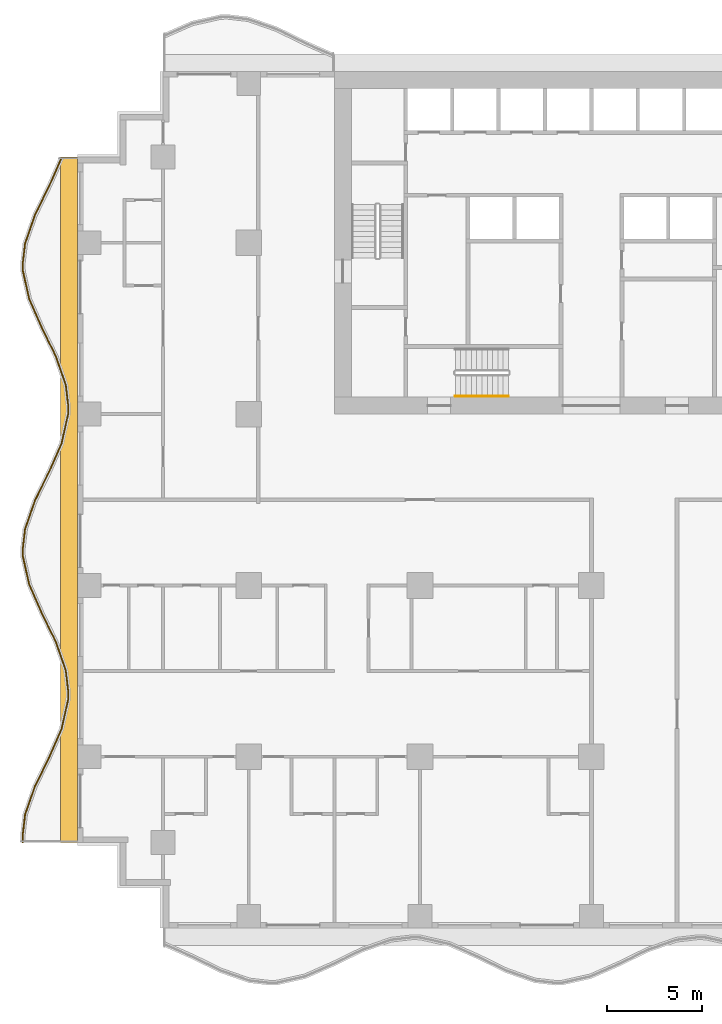
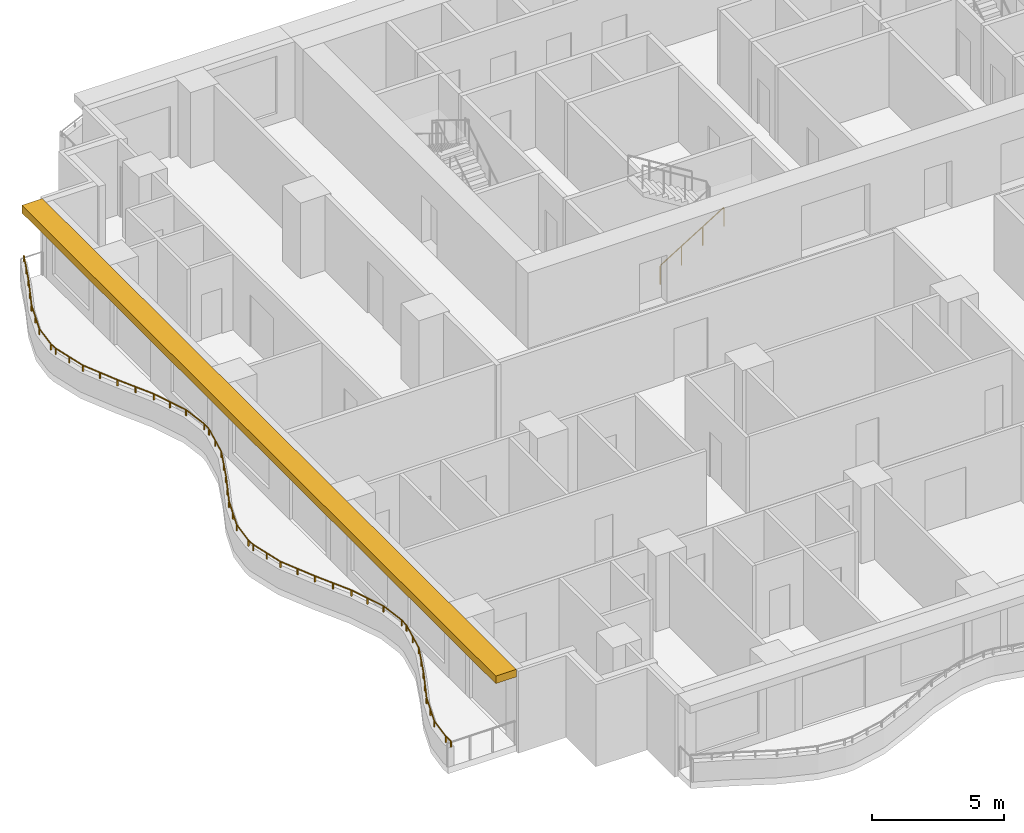
# One storey, part 9 of 14: 2 railings, 1 shading device.
"""IFC4 building model written with IfcOpenShell, lengths in metres."""

from ifc_helpers import new_model, si_unit, direction, frame, origin, origin_2d, place, context, subcontext, project, spatial, polyline, rectangle, circle, outline, extrude, material, layer, layer_set, type_object, element, save


model = new_model("IFC4")

# Units and contexts
model_context = context("Model", 3, precision=1e-05, world=origin(), true_north=direction((0.0, 1.0)))
body_context = subcontext(model_context, "Body", "Model", "MODEL_VIEW")
ifc_project = project(units=[si_unit("LENGTHUNIT", "METRE"), si_unit("AREAUNIT", "SQUARE_METRE"), si_unit("VOLUMEUNIT", "CUBIC_METRE"), si_unit("PLANEANGLEUNIT", "RADIAN"), si_unit("MASSUNIT", "GRAM", prefix="KILO")], contexts=[model_context])

# Site, building, storey
site_placement = place(None, origin())
site = spatial("IfcSite", under=ifc_project, at=site_placement, CompositionType="ELEMENT")
building_placement = place(site_placement, origin())
building = spatial("IfcBuilding", under=site, at=building_placement, Name="Orbiselva Terraces", CompositionType="ELEMENT")
storey_placement = place(building_placement, frame((0.0, 0.0, 103.6)))
storey = spatial("IfcBuildingStorey", under=building, at=storey_placement, Name="L26", CompositionType="ELEMENT", Elevation=103.6)

# Railings
ifc_material_1 = material(Name="Stainless steel", Category="steel")
railing_type_1 = type_object("IfcRailingType", Name="CORE-HANDRAIL-900", PredefinedType="HANDRAIL", material=ifc_material_1)
railing_1_placement = place(storey_placement, frame((-7.15, 5.45, 0.172727)))
element("IfcRailing", 1, at=railing_1_placement, inside=storey, type_object=railing_type_1, Name="L26 S3 stair handrail 1", PredefinedType="HANDRAIL", context=body_context, shape_type="SweptSolid", body=[
    extrude(circle(Radius=0.024, at=origin_2d()), frame((0.0, 0.0, 0.876), z_axis=(0.851088519012, 0.0, 0.52502222125), x_axis=(0.0, 1.0, 0.0)), (0.0, 0.0, 1.0), 3.289905),
    extrude(circle(Radius=0.021, at=origin_2d()), origin(), (0.0, 0.0, 1.0), 0.852),
    extrude(circle(Radius=0.021, at=origin_2d()), frame((0.933333, 0.0, 0.575758)), (0.0, 0.0, 1.0), 0.852),
    extrude(circle(Radius=0.021, at=origin_2d()), frame((1.866667, 0.0, 1.151515)), (0.0, 0.0, 1.0), 0.852),
    extrude(circle(Radius=0.021, at=origin_2d()), frame((2.8, 0.0, 1.727273)), (0.0, 0.0, 1.0), 0.852),
])
ifc_material_2 = material(Name="Bonded two-ply safety glass balustrade, stainless steel posts", Category="steel")
railing_type_2 = type_object("IfcRailingType", Name="ENV-BALUSTRADE-1200", PredefinedType="BALUSTRADE", material=ifc_material_2)
railing_2_placement = place(storey_placement, frame((-27.83708, 17.949606, 0.9)))
element("IfcRailing", 2, at=railing_2_placement, inside=storey, type_object=railing_type_2, Name="Balcony balustrade L26 W", PredefinedType="BALUSTRADE", context=body_context, shape_type="SweptSolid", body=[
    extrude(outline(polyline([(0.028868, 0.0), (0.014434, 0.025), (-0.014434, 0.025), (-0.028868, 0.0), (-0.014434, -0.025), (0.014434, -0.025), (0.028868, 0.0)])), frame((0.0, 0.0, 0.275), z_axis=(-0.403151175476, -0.915133394491, 0.0), x_axis=(0.915133394491, -0.403151175476, 0.0)), (0.0, 0.0, 1.0), 1.641563),
    extrude(outline(polyline([(0.028868, 0.0), (0.014434, 0.025), (-0.014434, 0.025), (-0.028868, 0.0), (-0.014434, -0.025), (0.014434, -0.025), (0.028868, 0.0)])), frame((-0.661798, -1.502249, 0.275), z_axis=(-0.438811978768, -0.89857890432, 0.0), x_axis=(0.89857890432, -0.438811978768, 0.0)), (0.0, 0.0, 1.0), 1.66438),
    extrude(outline(polyline([(0.028868, 0.0), (0.014434, 0.025), (-0.014434, 0.025), (-0.028868, 0.0), (-0.014434, -0.025), (0.014434, -0.025), (0.028868, 0.0)])), frame((-1.392148, -2.997826, 0.275), z_axis=(-0.330024754707, -0.943972277814, 0.0), x_axis=(0.943972277814, -0.330024754707, 0.0)), (0.0, 0.0, 1.0), 1.567807),
    extrude(outline(polyline([(0.028868, 0.0), (0.014434, 0.025), (-0.014434, 0.025), (-0.028868, 0.0), (-0.014434, -0.025), (0.014434, -0.025), (0.028868, 0.0)])), frame((-1.909563, -4.477792, 0.275), z_axis=(-0.115481264762, -0.993309658409, 0.0), x_axis=(0.993309658409, -0.115481264762, 0.0)), (0.0, 0.0, 1.0), 1.10902),
    extrude(outline(polyline([(0.028868, 0.0), (0.014434, 0.025), (-0.014434, 0.025), (-0.028868, 0.0), (-0.014434, -0.025), (0.014434, -0.025), (0.028868, 0.0)])), frame((-2.037634, -5.579392, 0.275), z_axis=(0.039364150694, -0.999224931454, 0.0), x_axis=(0.999224931454, 0.039364150694, 0.0)), (0.0, 0.0, 1.0), 0.354206),
    extrude(outline(polyline([(0.028868, 0.0), (0.014434, 0.025), (-0.014434, 0.025), (-0.028868, 0.0), (-0.014434, -0.025), (0.014434, -0.025), (0.028868, 0.0)])), frame((-2.023691, -5.933323, 0.275), z_axis=(0.219015740235, -0.975721325753, 0.0), x_axis=(0.975721325753, 0.219015740235, 0.0)), (0.0, 0.0, 1.0), 1.513782),
    extrude(outline(polyline([(0.028868, 0.0), (0.014434, 0.025), (-0.014434, 0.025), (-0.028868, 0.0), (-0.014434, -0.025), (0.014434, -0.025), (0.028868, 0.0)])), frame((-1.692149, -7.410352, 0.275), z_axis=(0.403151245402, -0.915133363686, 0.0), x_axis=(0.915133363686, 0.403151245402, 0.0)), (0.0, 0.0, 1.0), 1.624475),
    extrude(outline(polyline([(0.028868, 0.0), (0.014434, 0.025), (-0.014434, 0.025), (-0.028868, 0.0), (-0.014434, -0.025), (0.014434, -0.025), (0.028868, 0.0)])), frame((-1.03724, -8.896963, 0.275), z_axis=(0.438812048596, -0.898578870221, 0.0), x_axis=(0.898578870221, 0.438812048596, 0.0)), (0.0, 0.0, 1.0), 1.674225),
    extrude(outline(polyline([(0.028868, 0.0), (0.014434, 0.025), (-0.014434, 0.025), (-0.028868, 0.0), (-0.014434, -0.025), (0.014434, -0.025), (0.028868, 0.0)])), frame((-0.30257, -10.401386, 0.275), z_axis=(0.330024597479, -0.943972332783, 0.0), x_axis=(0.943972332783, 0.330024597479, 0.0)), (0.0, 0.0, 1.0), 1.610253),
    extrude(outline(polyline([(0.028868, 0.0), (0.014434, 0.025), (-0.014434, 0.025), (-0.028868, 0.0), (-0.014434, -0.025), (0.014434, -0.025), (0.028868, 0.0)])), frame((0.228853, -11.92142, 0.275), z_axis=(0.115482182324, -0.993309551734, 0.0), x_axis=(0.993309551734, 0.115482182324, 0.0)), (0.0, 0.0, 1.0), 1.156135),
    extrude(outline(polyline([(0.028868, 0.0), (0.014434, 0.025), (-0.014434, 0.025), (-0.028868, 0.0), (-0.014434, -0.025), (0.014434, -0.025), (0.028868, 0.0)])), frame((0.362366, -13.06982, 0.275), z_axis=(-0.03936915532, -0.999224734286, 0.0), x_axis=(0.999224734286, -0.03936915532, 0.0)), (0.0, 0.0, 1.0), 0.396376),
    extrude(outline(polyline([(0.028868, 0.0), (0.014434, 0.025), (-0.014434, 0.025), (-0.028868, 0.0), (-0.014434, -0.025), (0.014434, -0.025), (0.028868, 0.0)])), frame((0.346761, -13.465889, 0.275), z_axis=(-0.219015500924, -0.97572137947, 0.0), x_axis=(0.97572137947, -0.219015500924, 0.0)), (0.0, 0.0, 1.0), 1.560867),
    extrude(outline(polyline([(0.028868, 0.0), (0.014434, 0.025), (-0.014434, 0.025), (-0.028868, 0.0), (-0.014434, -0.025), (0.014434, -0.025), (0.028868, 0.0)])), frame((0.004907, -14.98886, 0.275), z_axis=(-0.403150874148, -0.915133527237, 0.0), x_axis=(0.915133527237, -0.403150874148, 0.0)), (0.0, 0.0, 1.0), 1.653736),
    extrude(outline(polyline([(0.028868, 0.0), (0.014434, 0.025), (-0.014434, 0.025), (-0.028868, 0.0), (-0.014434, -0.025), (0.014434, -0.025), (0.028868, 0.0)])), frame((-0.661798, -16.502249, 0.275), z_axis=(-0.438811978768, -0.89857890432, 0.0), x_axis=(0.89857890432, -0.438811978768, 0.0)), (0.0, 0.0, 1.0), 1.66438),
    extrude(outline(polyline([(0.028868, 0.0), (0.014434, 0.025), (-0.014434, 0.025), (-0.028868, 0.0), (-0.014434, -0.025), (0.014434, -0.025), (0.028868, 0.0)])), frame((-1.392148, -17.997826, 0.275), z_axis=(-0.330024754707, -0.943972277814, 0.0), x_axis=(0.943972277814, -0.330024754707, 0.0)), (0.0, 0.0, 1.0), 1.567807),
    extrude(outline(polyline([(0.028868, 0.0), (0.014434, 0.025), (-0.014434, 0.025), (-0.028868, 0.0), (-0.014434, -0.025), (0.014434, -0.025), (0.028868, 0.0)])), frame((-1.909563, -19.477792, 0.275), z_axis=(-0.115481264762, -0.993309658409, 0.0), x_axis=(0.993309658409, -0.115481264762, 0.0)), (0.0, 0.0, 1.0), 1.10902),
    extrude(outline(polyline([(0.028868, 0.0), (0.014434, 0.025), (-0.014434, 0.025), (-0.028868, 0.0), (-0.014434, -0.025), (0.014434, -0.025), (0.028868, 0.0)])), frame((-2.037634, -20.579392, 0.275), z_axis=(0.039364150694, -0.999224931454, 0.0), x_axis=(0.999224931454, 0.039364150694, 0.0)), (0.0, 0.0, 1.0), 0.354206),
    extrude(outline(polyline([(0.028868, 0.0), (0.014434, 0.025), (-0.014434, 0.025), (-0.028868, 0.0), (-0.014434, -0.025), (0.014434, -0.025), (0.028868, 0.0)])), frame((-2.023691, -20.933323, 0.275), z_axis=(0.219015740235, -0.975721325753, 0.0), x_axis=(0.975721325753, 0.219015740235, 0.0)), (0.0, 0.0, 1.0), 1.513782),
    extrude(outline(polyline([(0.028868, 0.0), (0.014434, 0.025), (-0.014434, 0.025), (-0.028868, 0.0), (-0.014434, -0.025), (0.014434, -0.025), (0.028868, 0.0)])), frame((-1.692149, -22.410352, 0.275), z_axis=(0.403151245402, -0.915133363686, 0.0), x_axis=(0.915133363686, 0.403151245402, 0.0)), (0.0, 0.0, 1.0), 1.624475),
    extrude(outline(polyline([(0.028868, 0.0), (0.014434, 0.025), (-0.014434, 0.025), (-0.028868, 0.0), (-0.014434, -0.025), (0.014434, -0.025), (0.028868, 0.0)])), frame((-1.03724, -23.896963, 0.275), z_axis=(0.438812048596, -0.898578870221, 0.0), x_axis=(0.898578870221, 0.438812048596, 0.0)), (0.0, 0.0, 1.0), 1.674225),
    extrude(outline(polyline([(0.028868, 0.0), (0.014434, 0.025), (-0.014434, 0.025), (-0.028868, 0.0), (-0.014434, -0.025), (0.014434, -0.025), (0.028868, 0.0)])), frame((-0.30257, -25.401386, 0.275), z_axis=(0.330024597479, -0.943972332783, 0.0), x_axis=(0.943972332783, 0.330024597479, 0.0)), (0.0, 0.0, 1.0), 1.610253),
    extrude(outline(polyline([(0.028868, 0.0), (0.014434, 0.025), (-0.014434, 0.025), (-0.028868, 0.0), (-0.014434, -0.025), (0.014434, -0.025), (0.028868, 0.0)])), frame((0.228853, -26.92142, 0.275), z_axis=(0.115482182324, -0.993309551734, 0.0), x_axis=(0.993309551734, 0.115482182324, 0.0)), (0.0, 0.0, 1.0), 1.156135),
    extrude(outline(polyline([(0.028868, 0.0), (0.014434, 0.025), (-0.014434, 0.025), (-0.028868, 0.0), (-0.014434, -0.025), (0.014434, -0.025), (0.028868, 0.0)])), frame((0.362366, -28.06982, 0.275), z_axis=(-0.03936915532, -0.999224734286, 0.0), x_axis=(0.999224734286, -0.03936915532, 0.0)), (0.0, 0.0, 1.0), 0.396376),
    extrude(outline(polyline([(0.028868, 0.0), (0.014434, 0.025), (-0.014434, 0.025), (-0.028868, 0.0), (-0.014434, -0.025), (0.014434, -0.025), (0.028868, 0.0)])), frame((0.346761, -28.465889, 0.275), z_axis=(-0.219015500924, -0.97572137947, 0.0), x_axis=(0.97572137947, -0.219015500924, 0.0)), (0.0, 0.0, 1.0), 1.560867),
    extrude(outline(polyline([(0.028868, 0.0), (0.014434, 0.025), (-0.014434, 0.025), (-0.028868, 0.0), (-0.014434, -0.025), (0.014434, -0.025), (0.028868, 0.0)])), frame((0.004907, -29.98886, 0.275), z_axis=(-0.403150874148, -0.915133527237, 0.0), x_axis=(0.915133527237, -0.403150874148, 0.0)), (0.0, 0.0, 1.0), 1.653736),
    extrude(outline(polyline([(0.028868, 0.0), (0.014434, 0.025), (-0.014434, 0.025), (-0.028868, 0.0), (-0.014434, -0.025), (0.014434, -0.025), (0.028868, 0.0)])), frame((-0.661798, -31.502249, 0.275), z_axis=(-0.438811978768, -0.89857890432, 0.0), x_axis=(0.89857890432, -0.438811978768, 0.0)), (0.0, 0.0, 1.0), 1.66438),
    extrude(outline(polyline([(0.028868, 0.0), (0.014434, 0.025), (-0.014434, 0.025), (-0.028868, 0.0), (-0.014434, -0.025), (0.014434, -0.025), (0.028868, 0.0)])), frame((-1.392148, -32.997826, 0.275), z_axis=(-0.330024754707, -0.943972277814, 0.0), x_axis=(0.943972277814, -0.330024754707, 0.0)), (0.0, 0.0, 1.0), 1.567807),
    extrude(outline(polyline([(0.028868, 0.0), (0.014434, 0.025), (-0.014434, 0.025), (-0.028868, 0.0), (-0.014434, -0.025), (0.014434, -0.025), (0.028868, 0.0)])), frame((-1.909563, -34.477792, 0.275), z_axis=(-0.115481264762, -0.993309658409, 0.0), x_axis=(0.993309658409, -0.115481264762, 0.0)), (0.0, 0.0, 1.0), 1.10902),
    extrude(outline(polyline([(0.028868, 0.0), (0.014434, 0.025), (-0.014434, 0.025), (-0.028868, 0.0), (-0.014434, -0.025), (0.014434, -0.025), (0.028868, 0.0)])), frame((-2.037634, -35.579392, 0.275), z_axis=(0.039365236599, -0.999224888675, 0.0), x_axis=(0.999224888675, 0.039365236599, 0.0)), (0.0, 0.0, 1.0), 0.365576),
    extrude(rectangle(XDim=0.05, YDim=0.05, at=origin_2d()), origin(), (0.0, 0.0, 1.0), 0.25),
    extrude(rectangle(XDim=0.05, YDim=0.05, at=origin_2d()), frame((-0.330899, -0.751124, 0.0)), (0.0, 0.0, 1.0), 0.25),
    extrude(rectangle(XDim=0.05, YDim=0.05, at=origin_2d()), frame((-0.661798, -1.502249, 0.0)), (0.0, 0.0, 1.0), 0.25),
    extrude(rectangle(XDim=0.05, YDim=0.05, at=origin_2d()), frame((-1.026973, -2.250037, 0.0)), (0.0, 0.0, 1.0), 0.25),
    extrude(rectangle(XDim=0.05, YDim=0.05, at=origin_2d()), frame((-1.392148, -2.997826, 0.0)), (0.0, 0.0, 1.0), 0.25),
    extrude(rectangle(XDim=0.05, YDim=0.05, at=origin_2d()), frame((-1.650855, -3.737809, 0.0)), (0.0, 0.0, 1.0), 0.25),
    extrude(rectangle(XDim=0.05, YDim=0.05, at=origin_2d()), frame((-1.909563, -4.477792, 0.0)), (0.0, 0.0, 1.0), 0.25),
    extrude(rectangle(XDim=0.05, YDim=0.05, at=origin_2d()), frame((-2.037634, -5.579392, 0.0)), (0.0, 0.0, 1.0), 0.25),
    extrude(rectangle(XDim=0.05, YDim=0.05, at=origin_2d()), frame((-2.023691, -5.933323, 0.0)), (0.0, 0.0, 1.0), 0.25),
    extrude(rectangle(XDim=0.05, YDim=0.05, at=origin_2d()), frame((-1.85792, -6.671838, 0.0)), (0.0, 0.0, 1.0), 0.25),
    extrude(rectangle(XDim=0.05, YDim=0.05, at=origin_2d()), frame((-1.692149, -7.410352, 0.0)), (0.0, 0.0, 1.0), 0.25),
    extrude(rectangle(XDim=0.05, YDim=0.05, at=origin_2d()), frame((-1.364695, -8.153658, 0.0)), (0.0, 0.0, 1.0), 0.25),
    extrude(rectangle(XDim=0.05, YDim=0.05, at=origin_2d()), frame((-1.03724, -8.896963, 0.0)), (0.0, 0.0, 1.0), 0.25),
    extrude(rectangle(XDim=0.05, YDim=0.05, at=origin_2d()), frame((-0.669905, -9.649174, 0.0)), (0.0, 0.0, 1.0), 0.25),
    extrude(rectangle(XDim=0.05, YDim=0.05, at=origin_2d()), frame((-0.30257, -10.401386, 0.0)), (0.0, 0.0, 1.0), 0.25),
    extrude(rectangle(XDim=0.05, YDim=0.05, at=origin_2d()), frame((-0.036858, -11.161403, 0.0)), (0.0, 0.0, 1.0), 0.25),
    extrude(rectangle(XDim=0.05, YDim=0.05, at=origin_2d()), frame((0.228853, -11.92142, 0.0)), (0.0, 0.0, 1.0), 0.25),
    extrude(rectangle(XDim=0.05, YDim=0.05, at=origin_2d()), frame((0.362366, -13.06982, 0.0)), (0.0, 0.0, 1.0), 0.25),
    extrude(rectangle(XDim=0.05, YDim=0.05, at=origin_2d()), frame((0.346761, -13.465889, 0.0)), (0.0, 0.0, 1.0), 0.25),
    extrude(rectangle(XDim=0.05, YDim=0.05, at=origin_2d()), frame((0.175834, -14.227374, 0.0)), (0.0, 0.0, 1.0), 0.25),
    extrude(rectangle(XDim=0.05, YDim=0.05, at=origin_2d()), frame((0.004907, -14.98886, 0.0)), (0.0, 0.0, 1.0), 0.25),
    extrude(rectangle(XDim=0.05, YDim=0.05, at=origin_2d()), frame((-0.328446, -15.745554, 0.0)), (0.0, 0.0, 1.0), 0.25),
    extrude(rectangle(XDim=0.05, YDim=0.05, at=origin_2d()), frame((-0.661798, -16.502249, 0.0)), (0.0, 0.0, 1.0), 0.25),
    extrude(rectangle(XDim=0.05, YDim=0.05, at=origin_2d()), frame((-1.026973, -17.250037, 0.0)), (0.0, 0.0, 1.0), 0.25),
    extrude(rectangle(XDim=0.05, YDim=0.05, at=origin_2d()), frame((-1.392148, -17.997826, 0.0)), (0.0, 0.0, 1.0), 0.25),
    extrude(rectangle(XDim=0.05, YDim=0.05, at=origin_2d()), frame((-1.650855, -18.737809, 0.0)), (0.0, 0.0, 1.0), 0.25),
    extrude(rectangle(XDim=0.05, YDim=0.05, at=origin_2d()), frame((-1.909563, -19.477792, 0.0)), (0.0, 0.0, 1.0), 0.25),
    extrude(rectangle(XDim=0.05, YDim=0.05, at=origin_2d()), frame((-2.037634, -20.579392, 0.0)), (0.0, 0.0, 1.0), 0.25),
    extrude(rectangle(XDim=0.05, YDim=0.05, at=origin_2d()), frame((-2.023691, -20.933323, 0.0)), (0.0, 0.0, 1.0), 0.25),
    extrude(rectangle(XDim=0.05, YDim=0.05, at=origin_2d()), frame((-1.85792, -21.671838, 0.0)), (0.0, 0.0, 1.0), 0.25),
    extrude(rectangle(XDim=0.05, YDim=0.05, at=origin_2d()), frame((-1.692149, -22.410352, 0.0)), (0.0, 0.0, 1.0), 0.25),
    extrude(rectangle(XDim=0.05, YDim=0.05, at=origin_2d()), frame((-1.364695, -23.153658, 0.0)), (0.0, 0.0, 1.0), 0.25),
    extrude(rectangle(XDim=0.05, YDim=0.05, at=origin_2d()), frame((-1.03724, -23.896963, 0.0)), (0.0, 0.0, 1.0), 0.25),
    extrude(rectangle(XDim=0.05, YDim=0.05, at=origin_2d()), frame((-0.669905, -24.649174, 0.0)), (0.0, 0.0, 1.0), 0.25),
    extrude(rectangle(XDim=0.05, YDim=0.05, at=origin_2d()), frame((-0.30257, -25.401386, 0.0)), (0.0, 0.0, 1.0), 0.25),
    extrude(rectangle(XDim=0.05, YDim=0.05, at=origin_2d()), frame((-0.036858, -26.161403, 0.0)), (0.0, 0.0, 1.0), 0.25),
    extrude(rectangle(XDim=0.05, YDim=0.05, at=origin_2d()), frame((0.228853, -26.92142, 0.0)), (0.0, 0.0, 1.0), 0.25),
    extrude(rectangle(XDim=0.05, YDim=0.05, at=origin_2d()), frame((0.362366, -28.06982, 0.0)), (0.0, 0.0, 1.0), 0.25),
    extrude(rectangle(XDim=0.05, YDim=0.05, at=origin_2d()), frame((0.346761, -28.465889, 0.0)), (0.0, 0.0, 1.0), 0.25),
    extrude(rectangle(XDim=0.05, YDim=0.05, at=origin_2d()), frame((0.175834, -29.227374, 0.0)), (0.0, 0.0, 1.0), 0.25),
    extrude(rectangle(XDim=0.05, YDim=0.05, at=origin_2d()), frame((0.004907, -29.98886, 0.0)), (0.0, 0.0, 1.0), 0.25),
    extrude(rectangle(XDim=0.05, YDim=0.05, at=origin_2d()), frame((-0.328446, -30.745554, 0.0)), (0.0, 0.0, 1.0), 0.25),
    extrude(rectangle(XDim=0.05, YDim=0.05, at=origin_2d()), frame((-0.661798, -31.502249, 0.0)), (0.0, 0.0, 1.0), 0.25),
    extrude(rectangle(XDim=0.05, YDim=0.05, at=origin_2d()), frame((-1.026973, -32.250038, 0.0)), (0.0, 0.0, 1.0), 0.25),
    extrude(rectangle(XDim=0.05, YDim=0.05, at=origin_2d()), frame((-1.392148, -32.997826, 0.0)), (0.0, 0.0, 1.0), 0.25),
    extrude(rectangle(XDim=0.05, YDim=0.05, at=origin_2d()), frame((-1.650855, -33.737809, 0.0)), (0.0, 0.0, 1.0), 0.25),
    extrude(rectangle(XDim=0.05, YDim=0.05, at=origin_2d()), frame((-1.909563, -34.477792, 0.0)), (0.0, 0.0, 1.0), 0.25),
    extrude(rectangle(XDim=0.05, YDim=0.05, at=origin_2d()), frame((-2.037634, -35.579392, 0.0)), (0.0, 0.0, 1.0), 0.25),
    extrude(rectangle(XDim=0.05, YDim=0.05, at=origin_2d()), frame((-2.023243, -35.944685, 0.0)), (0.0, 0.0, 1.0), 0.25),
])

# Shading device
ifc_material_3 = material(Name="Terracotta baguette sunshade", Category="masonry")
ifc_layer = layer(ifc_material_3, 0.35)
ifc_layer_set = layer_set([ifc_layer], Name="Terracotta baguette sunshade")
shading_device_type = type_object("IfcShadingDeviceType", Name="ENV-SUNSHADE-900x350", PredefinedType="USERDEFINED", material=ifc_layer_set)
shading_device_placement = place(storey_placement, frame((0.0, 0.0, 3.15)))
element("IfcShadingDevice", 3, at=shading_device_placement, inside=storey, type_object=shading_device_type, Name="Sunshade band L26 W", ObjectType="SUNSHADE", PredefinedType="USERDEFINED", context=body_context, shape_type="SweptSolid", body=[
    extrude(outline(polyline([(-27.9, 18.0), (-27.9, -18.0), (-27.0, -18.0), (-27.0, 18.0), (-27.9, 18.0)])), origin(), (0.0, 0.0, 1.0), 0.35),
])

save(model, "model.ifc")
